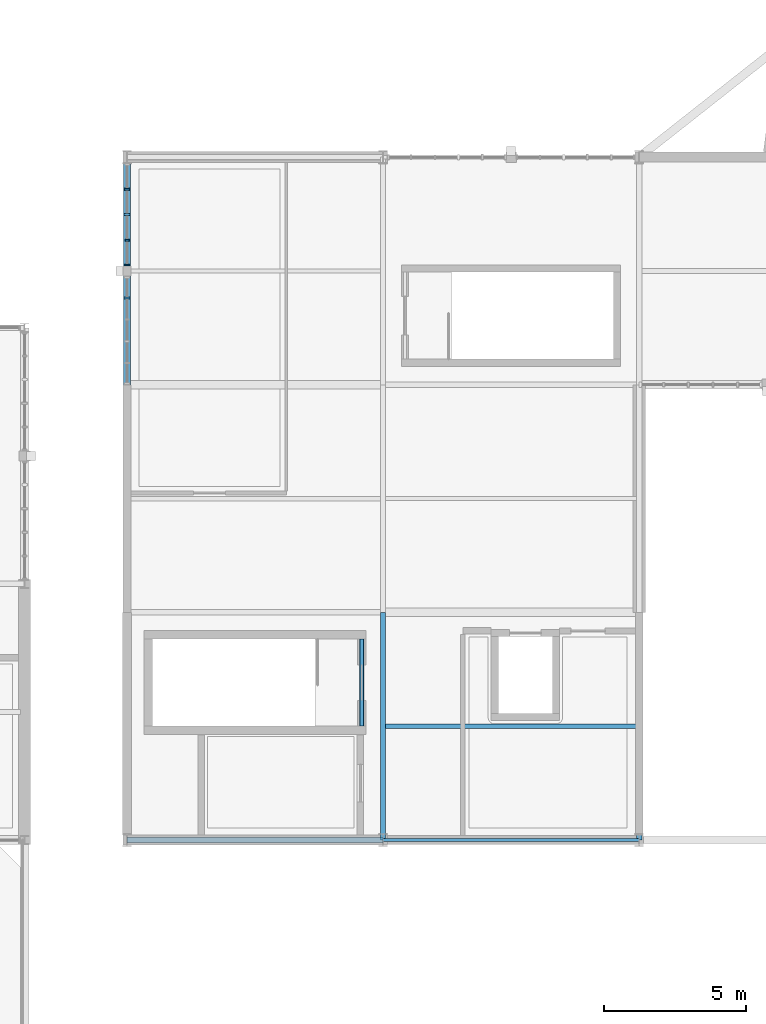
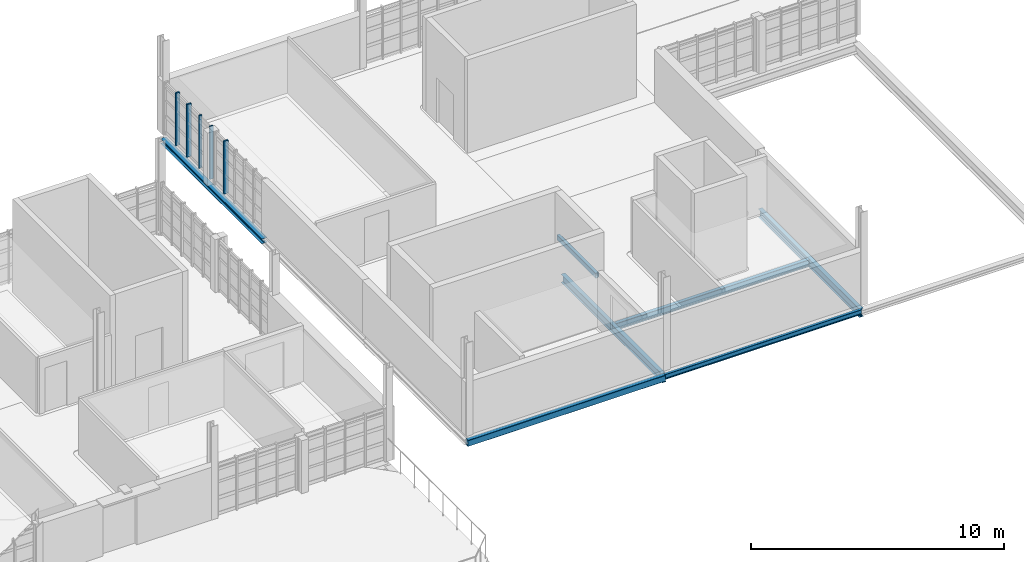
# One storey, part 9 of 44: 7 beams, 5 members, 2 elements without a shape of their own.
"""IFC4 building model written with IfcOpenShell, lengths in metres."""

import ifcopenshell
import ifcopenshell.guid

model = None  # the IFC model being written
_history = None  # IfcOwnerHistory: only IFC2X3 demands one
_inside = {}  # id of a spatial element -> (the spatial element, [elements in it])
_under = {}  # id of a project, library or spatial element -> (it, [spatial elements below it])
_declared = {}  # id of a project -> (the project, [libraries it declares])
_typed = {}  # id of a type object -> (the type object, [elements of that type])
_made_of = {}  # id of a material, layer set ... -> (it, [elements and type objects made of it])


def new_model(schema):
    """Start an empty IFC model of exactly this schema.

    Asked for "IFC4X3", IfcOpenShell would pick the latest addendum, in which some entities
    have other attributes; the version numbers below select the first issue.
    IFC2X3 requires an IfcOwnerHistory on every rooted entity: one is made here for all.
    """
    global model, _history
    if schema == "IFC4X3":
        model = ifcopenshell.file(schema_version=(4, 3, 0, 0))
    else:
        model = ifcopenshell.file(schema=schema)
    _inside.clear()
    _under.clear()
    _declared.clear()
    _typed.clear()
    _made_of.clear()
    _history = None
    if model.schema == "IFC2X3":
        org = make("IfcOrganization", Name="unknown")
        user = make(
            "IfcPersonAndOrganization",
            ThePerson=make("IfcPerson", FamilyName="unknown"),
            TheOrganization=org,
        )
        app = make(
            "IfcApplication",
            ApplicationDeveloper=org,
            Version="unknown",
            ApplicationFullName="unknown",
            ApplicationIdentifier="unknown",
        )
        _history = make(
            "IfcOwnerHistory",
            OwningUser=user,
            OwningApplication=app,
            ChangeAction="ADDED",
            CreationDate=0,
        )
    return model


def make(cls, **values):
    """One entity of the class cls with the attributes given. An attribute that is None is left unset."""
    return model.create_entity(
        cls, **{name: value for name, value in values.items() if value is not None}
    )


def rooted(cls, **values):
    """An entity with a GlobalId (a new one), such as an element, a storey or a relation."""
    return make(cls, GlobalId=ifcopenshell.guid.new(), OwnerHistory=_history, **values)


def si_unit(unit_type, name, prefix=None):
    """IfcSIUnit, for example si_unit("LENGTHUNIT", "METRE", prefix="MILLI")."""
    return make("IfcSIUnit", UnitType=unit_type, Prefix=prefix, Name=name)


def assignment(units):
    """IfcUnitAssignment: the units of a project."""
    return None if units is None else make("IfcUnitAssignment", Units=units)


def point(xyz):
    """IfcCartesianPoint."""
    return None if xyz is None else make("IfcCartesianPoint", Coordinates=xyz)


def direction(xyz):
    """IfcDirection."""
    return None if xyz is None else make("IfcDirection", DirectionRatios=xyz)


def frame(location, z_axis=None, x_axis=None):
    """IfcAxis2Placement3D, a coordinate frame: its origin and axes. An axis left out is left unset."""
    return make(
        "IfcAxis2Placement3D",
        Location=point(location),
        Axis=direction(z_axis),
        RefDirection=direction(x_axis),
    )


def frame_2d(location, x_axis=None):
    """IfcAxis2Placement2D, a coordinate frame in the plane: its origin and x axis."""
    return make(
        "IfcAxis2Placement2D", Location=point(location), RefDirection=direction(x_axis)
    )


def origin():
    """The frame at (0, 0, 0) with its axes left unset."""
    return frame((0.0, 0.0, 0.0))


def origin_2d():
    """The frame at (0, 0) in the plane with its x axis left unset."""
    return frame_2d((0.0, 0.0))


def place(relative_to, where):
    """IfcLocalPlacement: puts the frame where relative to a parent placement (None: the world)."""
    return make(
        "IfcLocalPlacement", PlacementRelTo=relative_to, RelativePlacement=where
    )


def context(
    kind, dimensions, precision=None, world=None, true_north=None, identifier=None
):
    """IfcGeometricRepresentationContext, for example the 3D "Model" context."""
    return make(
        "IfcGeometricRepresentationContext",
        ContextIdentifier=identifier,
        ContextType=kind,
        CoordinateSpaceDimension=dimensions,
        Precision=precision,
        WorldCoordinateSystem=world,
        TrueNorth=true_north,
    )


def subcontext(parent, identifier, kind, view, scale=None):
    """IfcGeometricRepresentationSubContext, for example "Body" below "Model"."""
    return make(
        "IfcGeometricRepresentationSubContext",
        ContextIdentifier=identifier,
        ContextType=kind,
        ParentContext=parent,
        TargetScale=scale,
        TargetView=view,
    )


def project(units=None, contexts=None):
    """IfcProject with its units and contexts."""
    return rooted(
        "IfcProject",
        Name="project",
        RepresentationContexts=contexts,
        UnitsInContext=assignment(units),
    )


def spatial(cls, under=None, at=None, **own):
    """A site, building, storey or space (cls), placed at a placement, below another one or the project."""
    s = rooted(cls, ObjectPlacement=at, **own)
    if under is not None:
        _under.setdefault(under.id(), (under, []))[1].append(s)
    return s


def profile(cls, at=None, kind="AREA", **sizes):
    """A parametric profile (cls). Its sizes go by their IFC names, for example OverallWidth=200.0."""
    return make(cls, ProfileType=kind, Position=at, **sizes)


def rectangle(**sizes):
    """IfcRectangleProfileDef."""
    return profile("IfcRectangleProfileDef", **sizes)


def hollow_rectangle(**sizes):
    """IfcRectangleHollowProfileDef."""
    return profile("IfcRectangleHollowProfileDef", **sizes)


def i_section(**sizes):
    """IfcIShapeProfileDef."""
    return profile("IfcIShapeProfileDef", **sizes)


def extrude(swept, where, along, depth):
    """IfcExtrudedAreaSolid: the profile swept, set in the frame where, extruded along a direction by depth."""
    return make(
        "IfcExtrudedAreaSolid",
        SweptArea=swept,
        Position=where,
        ExtrudedDirection=direction(along),
        Depth=depth,
    )


def shape(context_of_items, identifier, shape_type, items):
    """IfcShapeRepresentation: the items that make up one representation, for example the "Body"."""
    return make(
        "IfcShapeRepresentation",
        ContextOfItems=context_of_items,
        RepresentationIdentifier=identifier,
        RepresentationType=shape_type,
        Items=items,
    )


def material(Name=None, Category=None):
    """IfcMaterial."""
    return make("IfcMaterial", Name=Name, Category=Category)


def material_profile(
    of_material, cross_section, Name=None, Category=None, Priority=None
):
    """IfcMaterialProfile: a cross section and its material."""
    return make(
        "IfcMaterialProfile",
        Name=Name,
        Material=of_material,
        Profile=cross_section,
        Priority=Priority,
        Category=Category,
    )


def profile_set(profiles, Name=None, composite=None):
    """IfcMaterialProfileSet."""
    return make(
        "IfcMaterialProfileSet",
        Name=Name,
        MaterialProfiles=profiles,
        CompositeProfile=composite,
    )


def made_of(thing, what):
    """Note that an element or type object is made of a material, layer set ...; save() writes the relation."""
    if what is not None:
        _made_of.setdefault(what.id(), (what, []))[1].append(thing)
    return thing


def type_object(cls, material=None, **own):
    """A type object (cls), such as IfcWallType, which elements share."""
    return made_of(rooted(cls, **own), material)


def element(
    cls,
    number,
    at=None,
    inside=None,
    cuts=None,
    type_object=None,
    material=None,
    context=None,
    identifier="Body",
    shape_type=None,
    held_by="IfcProductDefinitionShape",
    body=None,
    shapes=None,
    **own,
):
    """One element of the class cls, such as IfcWall. Its Tag is "e" and its number.

    at: its placement. inside: the storey or other place that contains it. cuts: it is an
    opening in that element (IfcRelVoidsElement). A single representation is given by context,
    identifier, shape_type and body (its items); several are given by shapes. held_by: the class
    of the entity that holds the representations. save() writes the other relations.
    """
    e = rooted(cls, Tag="e%d" % number, ObjectPlacement=at, **own)
    if body is not None:
        shapes = [shape(context, identifier, shape_type, body)]
    if shapes is not None:
        e.Representation = make(held_by, Representations=shapes)
    if inside is not None:
        _inside.setdefault(inside.id(), (inside, []))[1].append(e)
    if cuts is not None:
        rooted(
            "IfcRelVoidsElement", RelatingBuildingElement=cuts, RelatedOpeningElement=e
        )
    if type_object is not None:
        _typed.setdefault(type_object.id(), (type_object, []))[1].append(e)
    return made_of(e, material)


def aggregate(whole, parts):
    """IfcRelAggregates: a whole, such as a stair, and the parts it consists of."""
    return rooted("IfcRelAggregates", RelatingObject=whole, RelatedObjects=parts)


def save(model, path):
    """Write the relations noted so far, then the file.

    IfcRelAggregates (storeys below a building ...), IfcRelContainedInSpatialStructure (elements
    in a storey), IfcRelDefinesByType, IfcRelAssociatesMaterial and IfcRelDeclares: one each for
    every whole, place, type object, material and project.
    """
    for whole, parts in _under.values():
        aggregate(whole, parts)
    for where, things in _inside.values():
        rooted(
            "IfcRelContainedInSpatialStructure",
            RelatedElements=things,
            RelatingStructure=where,
        )
    for kind, things in _typed.values():
        rooted("IfcRelDefinesByType", RelatedObjects=things, RelatingType=kind)
    for what, things in _made_of.values():
        rooted("IfcRelAssociatesMaterial", RelatedObjects=things, RelatingMaterial=what)
    for by, libraries in _declared.values():
        rooted("IfcRelDeclares", RelatingContext=by, RelatedDefinitions=libraries)
    model.write(path)


model = new_model("IFC4")

# Units and contexts
model_context = context("Model", 3, precision=1e-05, world=origin(), true_north=direction((0.0, 1.0)))
body_context = subcontext(model_context, "Body", "Model", "MODEL_VIEW")
ifc_project = project(units=[si_unit("LENGTHUNIT", "METRE"), si_unit("AREAUNIT", "SQUARE_METRE"), si_unit("VOLUMEUNIT", "CUBIC_METRE"), si_unit("PLANEANGLEUNIT", "RADIAN"), si_unit("MASSUNIT", "GRAM", prefix="KILO")], contexts=[model_context])

# Site, building, storey
site_placement = place(None, origin())
site = spatial("IfcSite", under=ifc_project, at=site_placement, CompositionType="ELEMENT")
building_placement = place(site_placement, origin())
building = spatial("IfcBuilding", under=site, at=building_placement, Name="Serraforn Aerial Cableway Station", CompositionType="ELEMENT")
storey_placement = place(building_placement, frame((0.0, 0.0, 13.800048828125)))
storey = spatial("IfcBuildingStorey", under=building, at=storey_placement, Name="L03", CompositionType="ELEMENT", Elevation=13.800048828125)

# Beams
ifc_material_1 = material(Name="Steel S355JR", Category="steel")
ifc_material_profile_1 = material_profile(ifc_material_1, i_section(OverallWidth=0.239990234375, OverallDepth=0.239990234375, WebThickness=0.007568359375, FlangeThickness=0.011962890625, FilletRadius=0.02099609375, at=origin_2d()), Name="HEA 240")
ifc_profile_set_1 = profile_set([ifc_material_profile_1], Name="Steel S355JR")
beam_type_1 = type_object("IfcBeamType", Name="BM-ST-HEA240", PredefinedType="BEAM", material=ifc_profile_set_1)
beam_1_placement = place(storey_placement, frame((27.60009765625, 34.0, -0.43994140625), z_axis=(0.0, 1.0, 0.0), x_axis=(-1.0, 0.0, 0.0)))
element("IfcBeam", 1, at=beam_1_placement, inside=storey, type_object=beam_type_1, Name="Grid Girder Y CV L03 X1-3", PredefinedType="BEAM", context=body_context, shape_type="SweptSolid", body=[
    extrude(i_section(OverallWidth=0.239990234375, OverallDepth=0.239990234375, WebThickness=0.007568359375, FlangeThickness=0.011962890625, FilletRadius=0.02099609375, at=origin_2d()), origin(), (0.0, 0.0, 1.0), 8.0),
])
ifc_material_profile_2 = material_profile(ifc_material_1, i_section(OverallWidth=0.1201171875, OverallDepth=0.239990234375, WebThickness=0.006103515625, FlangeThickness=0.009765625, FilletRadius=0.014892578125, at=origin_2d()), Name="IPE 240")
ifc_profile_set_2 = profile_set([ifc_material_profile_2], Name="Steel S355JR")
beam_type_2 = type_object("IfcBeamType", Name="BM-ST-IPE240", PredefinedType="SPANDREL", material=ifc_profile_set_2)
beam_2_placement = place(storey_placement, frame((36.60009765625, 18.0, -0.43994140625), z_axis=(1.0, 0.0, 0.0), x_axis=(0.0, 1.0, 0.0)))
element("IfcBeam", 2, at=beam_2_placement, inside=storey, type_object=beam_type_2, Name="Grid Girder X CV L03 Y1-2", PredefinedType="SPANDREL", context=body_context, shape_type="SweptSolid", body=[
    extrude(i_section(OverallWidth=0.1201171875, OverallDepth=0.239990234375, WebThickness=0.006103515625, FlangeThickness=0.009765625, FilletRadius=0.014892578125, at=origin_2d()), origin(), (0.0, 0.0, 1.0), 9.0),
])
ifc_material_profile_3 = material_profile(ifc_material_1, i_section(OverallWidth=0.159912109375, OverallDepth=0.330078125, WebThickness=0.007568359375, FlangeThickness=0.011474609375, FilletRadius=0.01806640625, at=origin_2d()), Name="IPE 330")
ifc_profile_set_3 = profile_set([ifc_material_profile_3], Name="Steel S355JR")
beam_type_3 = type_object("IfcBeamType", Name="BM-ST-IPE330", PredefinedType="JOIST", material=ifc_profile_set_3)
beam_3_placement = place(storey_placement, frame((36.68994140625, 22.0, -0.4599609375), z_axis=(1.0, 0.0, 0.0), x_axis=(0.0, 1.0, 0.0)))
element("IfcBeam", 3, at=beam_3_placement, inside=storey, type_object=beam_type_3, Name="Floor Joist CV-L03-2-1-1", PredefinedType="JOIST", context=body_context, shape_type="SweptSolid", body=[
    extrude(i_section(OverallWidth=0.159912109375, OverallDepth=0.330078125, WebThickness=0.007568359375, FlangeThickness=0.011474609375, FilletRadius=0.01806640625, at=origin_2d()), origin(), (0.0, 0.0, 1.0), 8.820068359375),
])
ifc_material_profile_4 = material_profile(ifc_material_1, i_section(OverallWidth=0.179931640625, OverallDepth=0.39990234375, WebThickness=0.008544921875, FlangeThickness=0.013427734375, FilletRadius=0.02099609375, at=origin_2d()), Name="IPE 400")
ifc_profile_set_4 = profile_set([ifc_material_profile_4], Name="Steel S355JR")
beam_type_4 = type_object("IfcBeamType", Name="BM-ST-IPE400", PredefinedType="BEAM", material=ifc_profile_set_4)
for number, where, z_axis, x_axis, name in (
    (4, (36.60009765625, 18.0, -0.52001953125), (0.0, 1.0, 0.0), (-1.0, 0.0, 0.0), "Grid Girder Y CV L03 X2-1"),
    (5, (45.60009765625, 18.0, -0.52001953125), (0.0, 1.0, 0.0), (-1.0, 0.0, 0.0), "Grid Girder Y CV L03 X3-1"),
):
    element("IfcBeam", number, at=place(storey_placement, frame(where, z_axis=z_axis, x_axis=x_axis)), inside=storey, type_object=beam_type_4, Name=name, PredefinedType="BEAM", context=body_context, shape_type="SweptSolid", body=[
        extrude(i_section(OverallWidth=0.179931640625, OverallDepth=0.39990234375, WebThickness=0.008544921875, FlangeThickness=0.013427734375, FilletRadius=0.02099609375, at=origin_2d()), origin(), (0.0, 0.0, 1.0), 8.0),
    ])
ifc_material_2 = material(Name="Steel S355J2", Category="steel")
ifc_material_profile_5 = material_profile(ifc_material_2, hollow_rectangle(XDim=0.14990234375, YDim=0.25, WallThickness=0.010009765625, InnerFilletRadius=0.010009765625, OuterFilletRadius=0.02001953125, at=origin_2d()), Name="RHS 250x150x10.0")
ifc_profile_set_5 = profile_set([ifc_material_profile_5], Name="Steel S355J2")
beam_type_5 = type_object("IfcBeamType", Name="BM-ST-RHS250", PredefinedType="LINTEL", material=ifc_profile_set_5)
beam_4_placement = place(storey_placement, frame((35.85009765625, 25.06005859375, 2.27490234375), z_axis=(0.0, -1.0, 0.0), x_axis=(1.0, 0.0, 0.0)))
element("IfcBeam", 6, at=beam_4_placement, inside=storey, type_object=beam_type_5, Name="Stair Core Door Lintel D-S16", PredefinedType="LINTEL", context=body_context, shape_type="SweptSolid", body=[
    extrude(hollow_rectangle(XDim=0.14990234375, YDim=0.25, WallThickness=0.010009765625, InnerFilletRadius=0.010009765625, OuterFilletRadius=0.02001953125, at=origin_2d()), origin(), (0.0, 0.0, 1.0), 3.06005859375),
])
ifc_material_profile_6 = material_profile(ifc_material_2, hollow_rectangle(XDim=0.199951171875, YDim=0.300048828125, WallThickness=0.012451171875, InnerFilletRadius=0.012451171875, OuterFilletRadius=0.02490234375, at=origin_2d()), Name="RHS 300x200x12.5")
ifc_profile_set_6 = profile_set([ifc_material_profile_6], Name="Steel S355J2")
beam_type_6 = type_object("IfcBeamType", Name="BM-ST-RHS300", PredefinedType="SPANDREL", material=ifc_profile_set_6)
beam_5_placement = place(storey_placement, frame((27.60009765625, 18.0, -0.469970703125), z_axis=(1.0, 0.0, 0.0), x_axis=(0.0, 1.0, 0.0)))
element("IfcBeam", 7, at=beam_5_placement, inside=storey, type_object=beam_type_6, Name="Grid Girder X CV L03 Y1-1", PredefinedType="SPANDREL", context=body_context, shape_type="SweptSolid", body=[
    extrude(hollow_rectangle(XDim=0.199951171875, YDim=0.300048828125, WallThickness=0.012451171875, InnerFilletRadius=0.012451171875, OuterFilletRadius=0.02490234375, at=origin_2d()), origin(), (0.0, 0.0, 1.0), 9.0),
])

# Curtain wall, members
ifc_material_3 = material(Name="Anodised bronze unitised curtain wall")
curtain_wall_type_1 = type_object("IfcCurtainWallType", Name="CW-SYS-15", PredefinedType="USERDEFINED", material=ifc_material_3)
curtain_wall_1_placement = place(storey_placement, origin())
curtain_wall_1 = element("IfcCurtainWall", 8, at=curtain_wall_1_placement, inside=storey, type_object=curtain_wall_type_1, Name="Unitised Curtain Wall CW-CV-L03-W3A", ObjectType="UNITISED CURTAIN WALL", PredefinedType="USERDEFINED")
ifc_material_4 = material(Name="Anodised bronze extruded aluminium", Category="aluminium")
ifc_material_profile_7 = material_profile(ifc_material_4, rectangle(XDim=0.054931640625, YDim=0.139892578125, at=origin_2d()), Name="CW MULLION 55x140")
ifc_profile_set_7 = profile_set([ifc_material_profile_7], Name="Anodised bronze extruded aluminium")
member_type_1 = type_object("IfcMemberType", Name="CW-MUL-1", PredefinedType="MULLION", material=ifc_profile_set_7)
member_1_placement = place(storey_placement, frame((27.60009765625, 39.079345703125, 0.0), z_axis=(0.0, 0.0, 1.0), x_axis=(0.0, -1.0, 0.0)))
member_1 = element("IfcMember", 9, at=member_1_placement, type_object=member_type_1, Name="Curtain Wall Mullion CW-CV-L03-W3A-M4", PredefinedType="MULLION", context=body_context, shape_type="SweptSolid", body=[
    extrude(rectangle(XDim=0.054931640625, YDim=0.139892578125, at=origin_2d()), origin(), (0.0, 0.0, 1.0), 2.550048828125),
])
ifc_material_profile_8 = material_profile(ifc_material_4, rectangle(XDim=0.06005859375, YDim=0.159912109375, at=origin_2d()), Name="CW MULLION 60x160")
ifc_profile_set_8 = profile_set([ifc_material_profile_8], Name="Anodised bronze extruded aluminium")
member_type_2 = type_object("IfcMemberType", Name="CW-MUL-2", PredefinedType="MULLION", material=ifc_profile_set_8)
member_2_placement = place(storey_placement, frame((27.60009765625, 38.2099609375, 0.0), z_axis=(0.0, 0.0, 1.0), x_axis=(0.0, -1.0, 0.0)))
member_2 = element("IfcMember", 10, at=member_2_placement, type_object=member_type_2, Name="Curtain Wall Mullion CW-CV-L03-W3A-M5", PredefinedType="MULLION", context=body_context, shape_type="SweptSolid", body=[
    extrude(rectangle(XDim=0.06005859375, YDim=0.159912109375, at=origin_2d()), origin(), (0.0, 0.0, 1.0), 2.550048828125),
])
ifc_material_profile_9 = material_profile(ifc_material_4, rectangle(XDim=0.070068359375, YDim=0.18994140625, at=origin_2d()), Name="CW MULLION 70x190")
ifc_profile_set_9 = profile_set([ifc_material_profile_9], Name="Anodised bronze extruded aluminium")
member_type_3 = type_object("IfcMemberType", Name="CW-MUL-4", PredefinedType="MULLION", material=ifc_profile_set_9)
member_3_placement = place(storey_placement, frame((27.60009765625, 40.877685546875, 0.0), z_axis=(0.0, 0.0, 1.0), x_axis=(0.0, -1.0, 0.0)))
member_3 = element("IfcMember", 11, at=member_3_placement, type_object=member_type_3, Name="Curtain Wall Mullion CW-CV-L03-W3A-M2", PredefinedType="MULLION", context=body_context, shape_type="SweptSolid", body=[
    extrude(rectangle(XDim=0.070068359375, YDim=0.18994140625, at=origin_2d()), origin(), (0.0, 0.0, 1.0), 2.550048828125),
])
ifc_material_profile_10 = material_profile(ifc_material_4, rectangle(XDim=0.074951171875, YDim=0.199951171875, at=origin_2d()), Name="CW MULLION 75x200")
ifc_profile_set_10 = profile_set([ifc_material_profile_10], Name="Anodised bronze extruded aluminium")
member_type_4 = type_object("IfcMemberType", Name="CW-MUL-5", PredefinedType="MULLION", material=ifc_profile_set_10)
member_4_placement = place(storey_placement, frame((27.60009765625, 39.978515625, 0.0), z_axis=(0.0, 0.0, 1.0), x_axis=(0.0, -1.0, 0.0)))
member_4 = element("IfcMember", 12, at=member_4_placement, type_object=member_type_4, Name="Curtain Wall Mullion CW-CV-L03-W3A-M3", PredefinedType="MULLION", context=body_context, shape_type="SweptSolid", body=[
    extrude(rectangle(XDim=0.074951171875, YDim=0.199951171875, at=origin_2d()), origin(), (0.0, 0.0, 1.0), 2.550048828125),
])
aggregate(curtain_wall_1, [member_3, member_4, member_1, member_2])

# Curtain wall, member
curtain_wall_type_2 = type_object("IfcCurtainWallType", Name="CW-SYS-16", PredefinedType="USERDEFINED", material=ifc_material_3)
curtain_wall_2_placement = place(storey_placement, origin())
curtain_wall_2 = element("IfcCurtainWall", 13, at=curtain_wall_2_placement, inside=storey, type_object=curtain_wall_type_2, Name="Unitised Curtain Wall CW-CV-L03-W3B", ObjectType="UNITISED CURTAIN WALL", PredefinedType="USERDEFINED")
member_5_placement = place(storey_placement, frame((27.60009765625, 37.055908203125, 0.0), z_axis=(0.0, 0.0, 1.0), x_axis=(0.0, -1.0, 0.0)))
member_5 = element("IfcMember", 14, at=member_5_placement, type_object=member_type_4, Name="Curtain Wall Mullion CW-CV-L03-W3B-M2", PredefinedType="MULLION", context=body_context, shape_type="SweptSolid", body=[
    extrude(rectangle(XDim=0.074951171875, YDim=0.199951171875, at=origin_2d()), origin(), (0.0, 0.0, 1.0), 2.550048828125),
])
aggregate(curtain_wall_2, [member_5])

save(model, "model.ifc")
